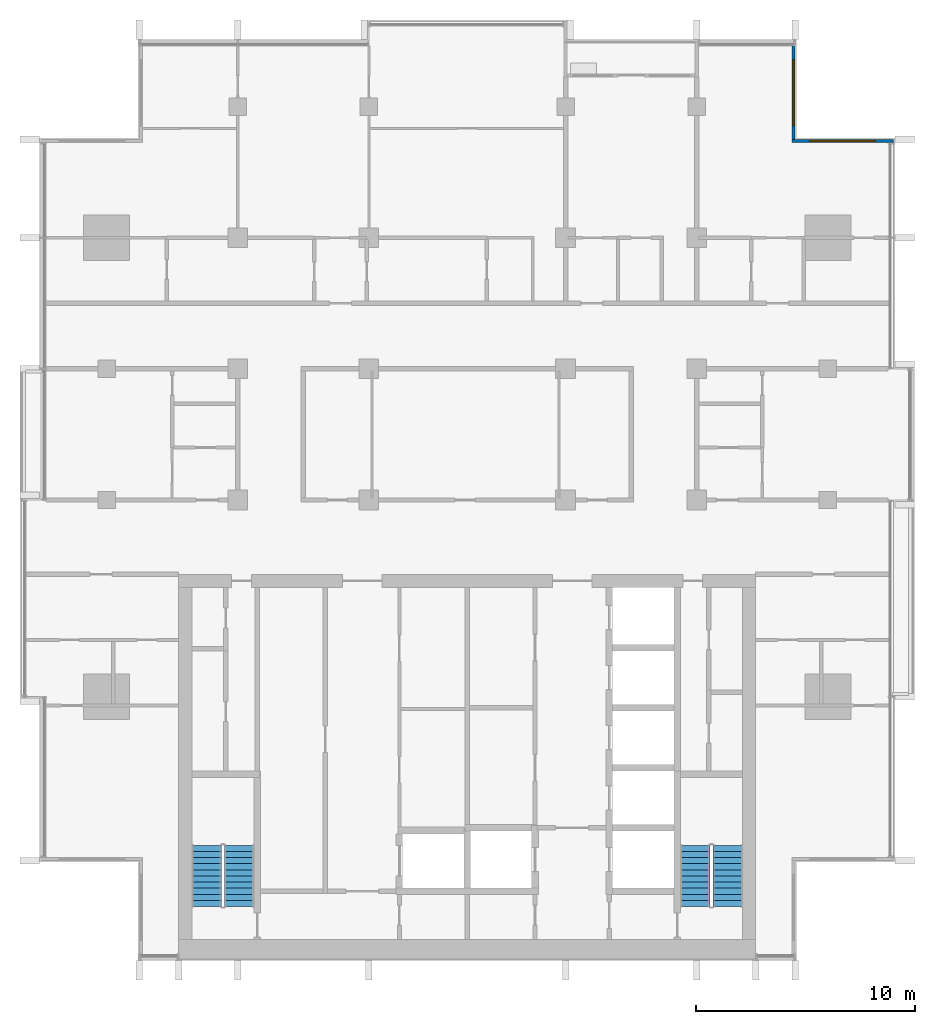
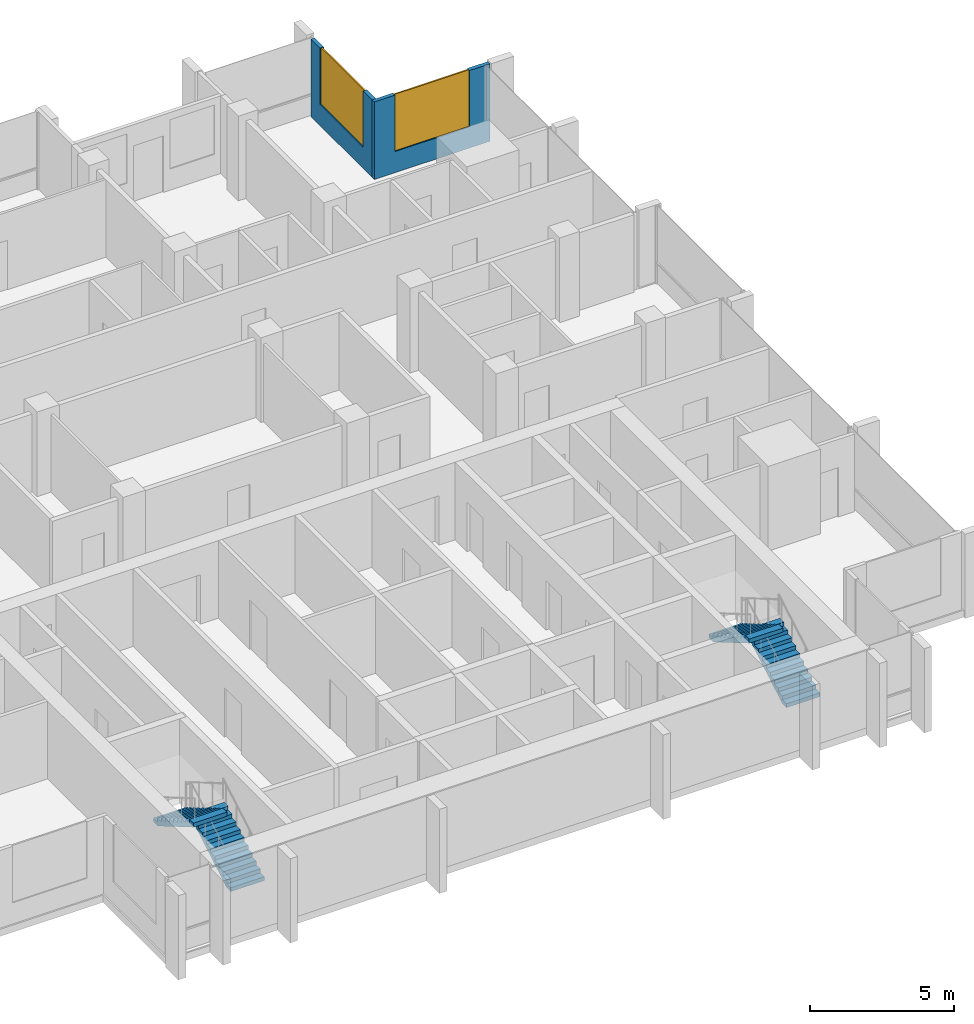
# One storey, part 11 of 16: 4 stair flights, 2 walls, 2 windows, 2 openings, 2 elements without a shape of their own.
"""IFC4 building model written with IfcOpenShell, lengths in metres."""

from ifc_helpers import new_model, si_unit, direction, frame, frame_2d, origin, place, context, subcontext, project, spatial, polyline, rectangle, outline, extrude, material, layer, layer_set, type_object, element, fill, aggregate, save


model = new_model("IFC4")

# Units and contexts
model_context = context("Model", 3, precision=1e-05, world=origin(), true_north=direction((0.0, 1.0)))
body_context = subcontext(model_context, "Body", "Model", "MODEL_VIEW")
ifc_project = project(units=[si_unit("LENGTHUNIT", "METRE"), si_unit("AREAUNIT", "SQUARE_METRE"), si_unit("VOLUMEUNIT", "CUBIC_METRE"), si_unit("PLANEANGLEUNIT", "RADIAN"), si_unit("MASSUNIT", "GRAM", prefix="KILO")], contexts=[model_context])

# Site, building, storey
site_placement = place(None, origin())
site = spatial("IfcSite", under=ifc_project, at=site_placement, CompositionType="ELEMENT")
building_placement = place(site_placement, origin())
building = spatial("IfcBuilding", under=site, at=building_placement, Name="Finial Court Residences", CompositionType="ELEMENT")
storey_placement = place(building_placement, frame((0.0, 0.0, 241.10009765625)))
storey = spatial("IfcBuildingStorey", under=building, at=storey_placement, Name="L61", CompositionType="ELEMENT", Elevation=241.10009765625)

# Wall, opening, window
ifc_material_1 = material(Name="Natural limestone", Category="masonry")
ifc_layer = layer(ifc_material_1, 0.14990234375)
ifc_layer_set = layer_set([ifc_layer], Name="Limestone clad wall 150")
wall_type = type_object("IfcWallType", Name="Limestone clad wall 150", PredefinedType="SOLIDWALL", material=ifc_layer_set)
wall_1_placement = place(storey_placement, frame((14.925048828125, 16.262451171875, 0.0), z_axis=(0.0, 0.0, 1.0), x_axis=(0.0, -1.0, 0.0)))
wall_1 = element("IfcWall", 1, at=wall_1_placement, inside=storey, type_object=wall_type, Name="E-L61-NWE18", PredefinedType="SOLIDWALL", context=body_context, shape_type="SweptSolid", body=[
    extrude(rectangle(XDim=4.262451171875, YDim=0.14990234375, at=frame_2d((2.13134765625, 0.0))), origin(), (0.0, 0.0, 1.0), 3.2998046875),
])
opening_1_placement = place(wall_1_placement, frame((0.631103515625, 0.0, 0.89990234375)))
opening_1 = element("IfcOpeningElement", 2, at=opening_1_placement, cuts=wall_1, Name="Opening WE61-07", PredefinedType="OPENING", context=body_context, shape_type="SweptSolid", body=[
    extrude(rectangle(XDim=3.0, YDim=2.39990234375, at=frame_2d((1.5, 1.199951171875))), frame((0.0, 0.0849609375, 0.0), z_axis=(0.0, -1.0, 0.0), x_axis=(1.0, 0.0, 0.0)), (0.0, 0.0, 1.0), 0.169921875),
])
ifc_material_2 = material(Name="Clear low-e glass", Category="glass")
window_type = type_object("IfcWindowType", Name="Corner window 3000 x 2400", PartitioningType="SINGLE_PANEL", PredefinedType="WINDOW", material=ifc_material_2)
window_1_placement = place(opening_1_placement, origin())
window_1 = element("IfcWindow", 3, at=window_1_placement, inside=storey, type_object=window_type, Name="E-L61-NWE18-W1", OverallHeight=2.39990234375, OverallWidth=3.0, PartitioningType="SINGLE_PANEL", PredefinedType="WINDOW", context=body_context, shape_type="SweptSolid", body=[
    extrude(rectangle(XDim=3.0, YDim=2.39990234375, at=frame_2d((1.5, 1.199951171875))), frame((0.0, 0.030029296875, 0.0), z_axis=(0.0, -1.0, 0.0), x_axis=(1.0, 0.0, 0.0)), (0.0, 0.0, 1.0), 0.06005859375),
])
fill(opening_1, window_1)

wall_2_placement = place(storey_placement, frame((14.85009765625, 11.925048828125, 0.0), z_axis=(0.0, 0.0, 1.0), x_axis=(1.0, 0.0, 0.0)))
wall_2 = element("IfcWall", 4, at=wall_2_placement, inside=storey, type_object=wall_type, Name="E-L61-NWN19", PredefinedType="SOLIDWALL", context=body_context, shape_type="SweptSolid", body=[
    extrude(rectangle(XDim=4.64990234375, YDim=0.14990234375, at=frame_2d((2.324951171875, 0.0))), origin(), (0.0, 0.0, 1.0), 3.2998046875),
])
opening_2_placement = place(wall_2_placement, frame((0.824951171875, 0.0, 0.89990234375)))
opening_2 = element("IfcOpeningElement", 5, at=opening_2_placement, cuts=wall_2, Name="Opening WE61-08", PredefinedType="OPENING", context=body_context, shape_type="SweptSolid", body=[
    extrude(rectangle(XDim=3.0, YDim=2.39990234375, at=frame_2d((1.5, 1.199951171875))), frame((0.0, 0.0849609375, 0.0), z_axis=(0.0, -1.0, 0.0), x_axis=(1.0, 0.0, 0.0)), (0.0, 0.0, 1.0), 0.169921875),
])
window_2_placement = place(opening_2_placement, origin())
window_2 = element("IfcWindow", 6, at=window_2_placement, inside=storey, type_object=window_type, Name="E-L61-NWN19-W1", OverallHeight=2.39990234375, OverallWidth=3.0, PartitioningType="SINGLE_PANEL", PredefinedType="WINDOW", context=body_context, shape_type="SweptSolid", body=[
    extrude(rectangle(XDim=3.0, YDim=2.39990234375, at=frame_2d((1.5, 1.199951171875))), frame((0.0, 0.030029296875, 0.0), z_axis=(0.0, -1.0, 0.0), x_axis=(1.0, 0.0, 0.0)), (0.0, 0.0, 1.0), 0.06005859375),
])
fill(opening_2, window_2)

# Stair, stair flights
ifc_material_3 = material(Name="Concrete C50/60", Category="concrete")
stair_type = type_object("IfcStairType", Name="Exit stair 22 risers of 163.6 mm", PredefinedType="HALF_TURN_STAIR", material=ifc_material_3)
stair_1_placement = place(storey_placement, origin())
stair_1 = element("IfcStair", 7, at=stair_1_placement, inside=storey, type_object=stair_type, Name="L61 Exit stair ST-1", PredefinedType="HALF_TURN_STAIR")
stair_flight_type = type_object("IfcStairFlightType", Name="Exit stair flight", PredefinedType="STRAIGHT", material=ifc_material_3)
stair_flight_1_placement = place(storey_placement, frame((-10.425048828125, -23.10009765625, 0.0), z_axis=(0.0, 0.0, 1.0), x_axis=(0.0, 1.0, 0.0)))
stair_flight_1 = element("IfcStairFlight", 8, at=stair_flight_1_placement, type_object=stair_flight_type, Name="ST-1 flight 1", NumberOfRisers=11, NumberOfTreads=10, PredefinedType="STRAIGHT", RiserHeight=0.163636364, TreadLength=0.28, context=body_context, shape_type="SweptSolid", body=[
    extrude(outline(polyline([(0.0, 0.0), (0.0, 0.16357421875), (0.280029296875, 0.16357421875), (0.280029296875, 0.327392578125), (0.56005859375, 0.327392578125), (0.56005859375, 0.490966796875), (0.840087890625, 0.490966796875), (0.840087890625, 0.654541015625), (1.1201171875, 0.654541015625), (1.1201171875, 0.818115234375), (1.39990234375, 0.818115234375), (1.39990234375, 0.98193359375), (1.679931640625, 0.98193359375), (1.679931640625, 1.1455078125), (1.9599609375, 1.1455078125), (1.9599609375, 1.30908203125), (2.239990234375, 1.30908203125), (2.239990234375, 1.47265625), (2.52001953125, 1.47265625), (2.52001953125, 1.636474609375), (2.800048828125, 1.636474609375), (2.800048828125, 1.800048828125), (2.800048828125, 1.462646484375), (0.297119140625, 0.0), (0.0, 0.0)])), frame((0.0, 0.675048828125, 0.0), z_axis=(0.0, -1.0, 0.0), x_axis=(1.0, 0.0, 0.0)), (0.0, 0.0, 1.0), 1.35009765625),
])
stair_flight_2_placement = place(storey_placement, frame((-11.925048828125, -20.300048828125, 1.7998046875), z_axis=(0.0, 0.0, 1.0), x_axis=(0.0, -1.0, 0.0)))
stair_flight_2 = element("IfcStairFlight", 9, at=stair_flight_2_placement, type_object=stair_flight_type, Name="ST-1 flight 2", NumberOfRisers=11, NumberOfTreads=10, PredefinedType="STRAIGHT", RiserHeight=0.163636364, TreadLength=0.28, context=body_context, shape_type="SweptSolid", body=[
    extrude(outline(polyline([(0.0, 0.0), (0.0, 0.16357421875), (0.280029296875, 0.16357421875), (0.280029296875, 0.327392578125), (0.56005859375, 0.327392578125), (0.56005859375, 0.490966796875), (0.840087890625, 0.490966796875), (0.840087890625, 0.654541015625), (1.1201171875, 0.654541015625), (1.1201171875, 0.818115234375), (1.39990234375, 0.818115234375), (1.39990234375, 0.98193359375), (1.679931640625, 0.98193359375), (1.679931640625, 1.1455078125), (1.9599609375, 1.1455078125), (1.9599609375, 1.30908203125), (2.239990234375, 1.30908203125), (2.239990234375, 1.47265625), (2.52001953125, 1.47265625), (2.52001953125, 1.636474609375), (2.800048828125, 1.636474609375), (2.800048828125, 1.800048828125), (2.800048828125, 1.462646484375), (0.297119140625, 0.0), (0.0, 0.0)])), frame((0.0, 0.675048828125, 0.0), z_axis=(0.0, -1.0, 0.0), x_axis=(1.0, 0.0, 0.0)), (0.0, 0.0, 1.0), 1.35009765625),
])
aggregate(stair_1, [stair_flight_1, stair_flight_2])

stair_2_placement = place(storey_placement, origin())
stair_2 = element("IfcStair", 10, at=stair_2_placement, inside=storey, type_object=stair_type, Name="L61 Exit stair ST-2", PredefinedType="HALF_TURN_STAIR")
stair_flight_3_placement = place(storey_placement, frame((11.925048828125, -23.10009765625, 0.0), z_axis=(0.0, 0.0, 1.0), x_axis=(0.0, 1.0, 0.0)))
stair_flight_3 = element("IfcStairFlight", 11, at=stair_flight_3_placement, type_object=stair_flight_type, Name="ST-2 flight 1", NumberOfRisers=11, NumberOfTreads=10, PredefinedType="STRAIGHT", RiserHeight=0.163636364, TreadLength=0.28, context=body_context, shape_type="SweptSolid", body=[
    extrude(outline(polyline([(0.0, 0.0), (0.0, 0.16357421875), (0.280029296875, 0.16357421875), (0.280029296875, 0.327392578125), (0.56005859375, 0.327392578125), (0.56005859375, 0.490966796875), (0.840087890625, 0.490966796875), (0.840087890625, 0.654541015625), (1.1201171875, 0.654541015625), (1.1201171875, 0.818115234375), (1.39990234375, 0.818115234375), (1.39990234375, 0.98193359375), (1.679931640625, 0.98193359375), (1.679931640625, 1.1455078125), (1.9599609375, 1.1455078125), (1.9599609375, 1.30908203125), (2.239990234375, 1.30908203125), (2.239990234375, 1.47265625), (2.52001953125, 1.47265625), (2.52001953125, 1.636474609375), (2.800048828125, 1.636474609375), (2.800048828125, 1.800048828125), (2.800048828125, 1.462646484375), (0.297119140625, 0.0), (0.0, 0.0)])), frame((0.0, 0.675048828125, 0.0), z_axis=(0.0, -1.0, 0.0), x_axis=(1.0, 0.0, 0.0)), (0.0, 0.0, 1.0), 1.35009765625),
])
stair_flight_4_placement = place(storey_placement, frame((10.425048828125, -20.300048828125, 1.7998046875), z_axis=(0.0, 0.0, 1.0), x_axis=(0.0, -1.0, 0.0)))
stair_flight_4 = element("IfcStairFlight", 12, at=stair_flight_4_placement, type_object=stair_flight_type, Name="ST-2 flight 2", NumberOfRisers=11, NumberOfTreads=10, PredefinedType="STRAIGHT", RiserHeight=0.163636364, TreadLength=0.28, context=body_context, shape_type="SweptSolid", body=[
    extrude(outline(polyline([(0.0, 0.0), (0.0, 0.16357421875), (0.280029296875, 0.16357421875), (0.280029296875, 0.327392578125), (0.56005859375, 0.327392578125), (0.56005859375, 0.490966796875), (0.840087890625, 0.490966796875), (0.840087890625, 0.654541015625), (1.1201171875, 0.654541015625), (1.1201171875, 0.818115234375), (1.39990234375, 0.818115234375), (1.39990234375, 0.98193359375), (1.679931640625, 0.98193359375), (1.679931640625, 1.1455078125), (1.9599609375, 1.1455078125), (1.9599609375, 1.30908203125), (2.239990234375, 1.30908203125), (2.239990234375, 1.47265625), (2.52001953125, 1.47265625), (2.52001953125, 1.636474609375), (2.800048828125, 1.636474609375), (2.800048828125, 1.800048828125), (2.800048828125, 1.462646484375), (0.297119140625, 0.0), (0.0, 0.0)])), frame((0.0, 0.675048828125, 0.0), z_axis=(0.0, -1.0, 0.0), x_axis=(1.0, 0.0, 0.0)), (0.0, 0.0, 1.0), 1.35009765625),
])
aggregate(stair_2, [stair_flight_3, stair_flight_4])

save(model, "model.ifc")
